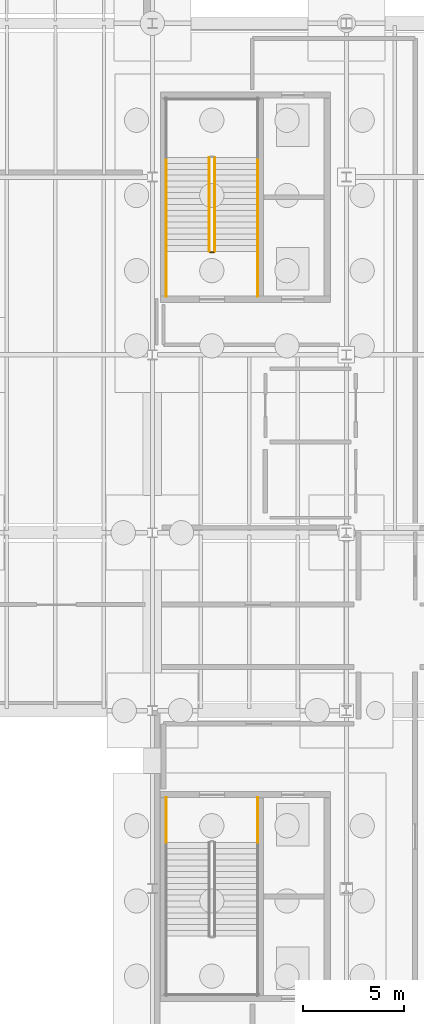
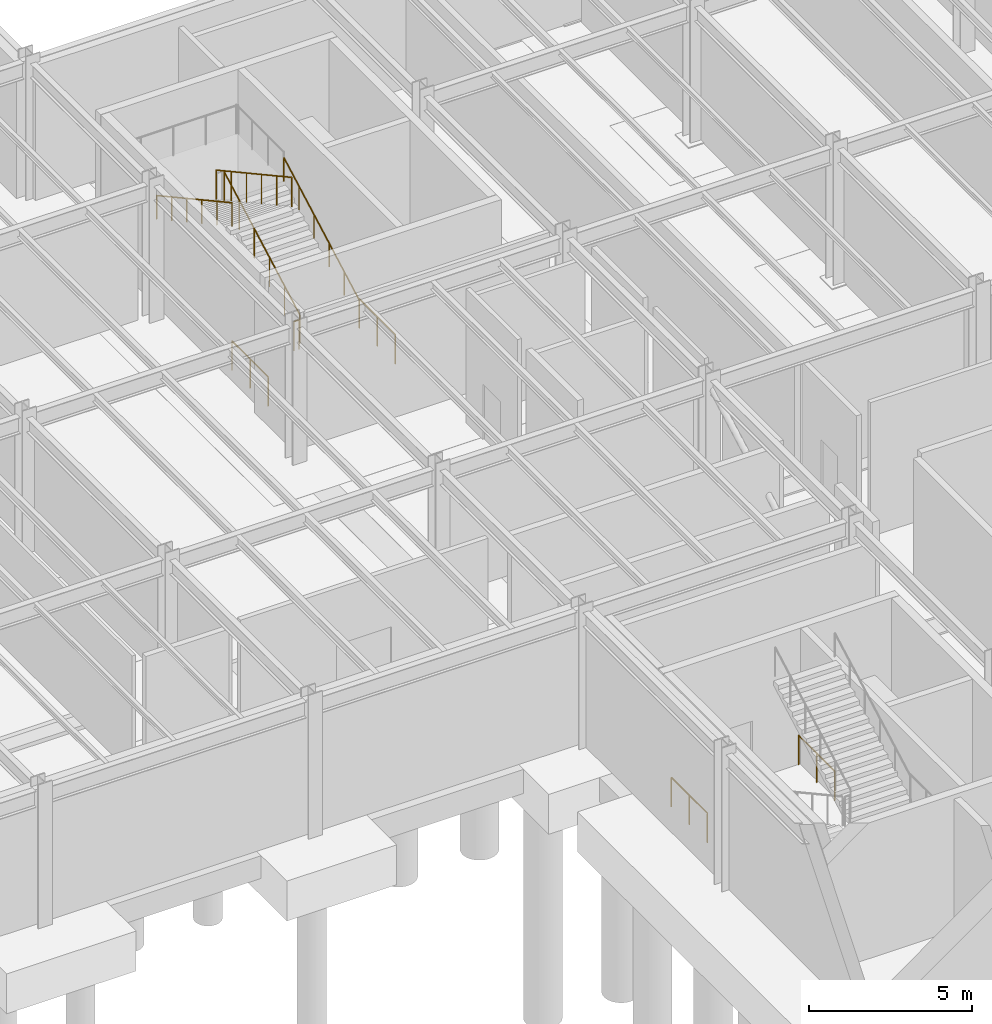
# One storey, part 44 of 48: 9 railings.
"""IFC4 building model written with IfcOpenShell, lengths in metres."""

from ifc_helpers import new_model, si_unit, direction, frame, origin, origin_2d, place, context, subcontext, project, spatial, circle, extrude, material, layer, layer_set, type_object, element, save


model = new_model("IFC4")

# Units and contexts
model_context = context("Model", 3, precision=1e-05, world=origin(), true_north=direction((0.0, 1.0)))
body_context = subcontext(model_context, "Body", "Model", "MODEL_VIEW")
ifc_project = project(units=[si_unit("LENGTHUNIT", "METRE"), si_unit("AREAUNIT", "SQUARE_METRE"), si_unit("VOLUMEUNIT", "CUBIC_METRE"), si_unit("PLANEANGLEUNIT", "RADIAN"), si_unit("MASSUNIT", "GRAM", prefix="KILO")], contexts=[model_context])

# Site, building, storey
site_placement = place(None, origin())
site = spatial("IfcSite", under=ifc_project, at=site_placement, CompositionType="ELEMENT")
building_placement = place(site_placement, origin())
building = spatial("IfcBuilding", under=site, at=building_placement, Name="Sarnbrook Museum", CompositionType="ELEMENT")
storey_placement = place(building_placement, frame((0.0, 0.0, -5.39990234375)))
storey = spatial("IfcBuildingStorey", under=building, at=storey_placement, Name="B1", CompositionType="ELEMENT", Elevation=-5.39990234375)

# Railings
ifc_material = material(Name="Brushed Stainless Steel Grade 316", Category="steel")
ifc_layer_1 = layer(ifc_material, 0.050048828125)
ifc_layer_set_1 = layer_set([ifc_layer_1], Name="Brushed Stainless Steel Grade 316")
railing_type_1 = type_object("IfcRailingType", Name="Guard_Int1120", PredefinedType="BALUSTRADE", material=ifc_layer_set_1)
for number, where, name in (
    (1, (81.489990234375, 70.10009765625, 0.0), "B1 ST3 stair guard 8"),
    (2, (86.010009765625, 70.10009765625, 0.0), "B1 ST3 stair guard 9"),
):
    element("IfcRailing", number, at=place(storey_placement, frame(where)), inside=storey, type_object=railing_type_1, Name=name, PredefinedType="BALUSTRADE", context=body_context, shape_type="SweptSolid", body=[
        extrude(circle(Radius=0.02392578125, at=origin_2d()), frame((0.0, 0.0, 1.09619140625), z_axis=(0.0, -1.0, 0.0), x_axis=(1.0, 0.0, 0.0)), (0.0, 0.0, 1.0), 2.22021484375),
        extrude(circle(Radius=0.02099609375, at=origin_2d()), origin(), (0.0, 0.0, 1.0), 1.072021484375),
        extrude(circle(Radius=0.02099609375, at=origin_2d()), frame((0.0, -1.110107421875, 0.0)), (0.0, 0.0, 1.0), 1.072021484375),
        extrude(circle(Radius=0.02099609375, at=origin_2d()), frame((0.0, -2.22021484375, 0.0)), (0.0, 0.0, 1.0), 1.072021484375),
    ])
railing_1_placement = place(storey_placement, frame((83.889892578125, 97.1201171875, 0.15869140625)))
element("IfcRailing", 3, at=railing_1_placement, inside=storey, type_object=railing_type_1, Name="B1 ST4 stair guard 1", PredefinedType="BALUSTRADE", context=body_context, shape_type="SweptSolid", body=[
    extrude(circle(Radius=0.02392578125, at=origin_2d()), frame((0.0, 0.0, 1.09619140625), z_axis=(0.0, 0.877067103421, 0.480367875796), x_axis=(-1.0, 0.0, 0.0)), (0.0, 0.0, 1.0), 5.290283203125),
    extrude(circle(Radius=0.02099609375, at=origin_2d()), origin(), (0.0, 0.0, 1.0), 1.072021484375),
    extrude(circle(Radius=0.02099609375, at=origin_2d()), frame((0.0, 0.927978515625, 0.50830078125)), (0.0, 0.0, 1.0), 1.072021484375),
    extrude(circle(Radius=0.02099609375, at=origin_2d()), frame((0.0, 1.85595703125, 1.0166015625)), (0.0, 0.0, 1.0), 1.072021484375),
    extrude(circle(Radius=0.02099609375, at=origin_2d()), frame((0.0, 2.783935546875, 1.524658203125)), (0.0, 0.0, 1.0), 1.072021484375),
    extrude(circle(Radius=0.02099609375, at=origin_2d()), frame((0.0, 3.7119140625, 2.032958984375)), (0.0, 0.0, 1.0), 1.072021484375),
    extrude(circle(Radius=0.02099609375, at=origin_2d()), frame((0.0, 4.639892578125, 2.541259765625)), (0.0, 0.0, 1.0), 1.072021484375),
])
railing_2_placement = place(storey_placement, frame((83.610107421875, 101.760009765625, 2.858642578125)))
element("IfcRailing", 4, at=railing_2_placement, inside=storey, type_object=railing_type_1, Name="B1 ST4 stair guard 6", PredefinedType="BALUSTRADE", context=body_context, shape_type="SweptSolid", body=[
    extrude(circle(Radius=0.02392578125, at=origin_2d()), frame((0.0, 0.0, 1.09619140625), z_axis=(0.0, -0.877067103421, 0.480367875796), x_axis=(1.0, 0.0, 0.0)), (0.0, 0.0, 1.0), 5.290283203125),
    extrude(circle(Radius=0.02099609375, at=origin_2d()), origin(), (0.0, 0.0, 1.0), 1.072021484375),
    extrude(circle(Radius=0.02099609375, at=origin_2d()), frame((0.0, -0.927978515625, 0.50830078125)), (0.0, 0.0, 1.0), 1.072021484375),
    extrude(circle(Radius=0.02099609375, at=origin_2d()), frame((0.0, -1.85595703125, 1.0166015625)), (0.0, 0.0, 1.0), 1.072021484375),
    extrude(circle(Radius=0.02099609375, at=origin_2d()), frame((0.0, -2.783935546875, 1.524658203125)), (0.0, 0.0, 1.0), 1.072021484375),
    extrude(circle(Radius=0.02099609375, at=origin_2d()), frame((0.0, -3.7119140625, 2.032958984375)), (0.0, 0.0, 1.0), 1.072021484375),
    extrude(circle(Radius=0.02099609375, at=origin_2d()), frame((0.0, -4.639892578125, 2.541259765625)), (0.0, 0.0, 1.0), 1.072021484375),
])
railing_3_placement = place(storey_placement, frame((83.840087890625, 97.070068359375, 0.0)))
element("IfcRailing", 5, at=railing_3_placement, inside=storey, type_object=railing_type_1, Name="B1 ST4 stair guard 7", PredefinedType="BALUSTRADE", context=body_context, shape_type="SweptSolid", body=[
    extrude(circle(Radius=0.02392578125, at=origin_2d()), frame((0.0, 0.0, 1.09619140625), z_axis=(-1.0, 0.0, 0.0), x_axis=(0.0, -1.0, 0.0)), (0.0, 0.0, 1.0), 0.18017578125),
    extrude(circle(Radius=0.02099609375, at=origin_2d()), origin(), (0.0, 0.0, 1.0), 1.072021484375),
    extrude(circle(Radius=0.02099609375, at=origin_2d()), frame((-0.18017578125, 0.0, 0.0)), (0.0, 0.0, 1.0), 1.072021484375),
])
for number, where, name in (
    (6, (86.010009765625, 94.89990234375, 0.0), "B1 ST4 stair guard 8"),
    (7, (81.489990234375, 94.89990234375, 0.0), "B1 ST4 stair guard 9"),
):
    element("IfcRailing", number, at=place(storey_placement, frame(where)), inside=storey, type_object=railing_type_1, Name=name, PredefinedType="BALUSTRADE", context=body_context, shape_type="SweptSolid", body=[
        extrude(circle(Radius=0.02392578125, at=origin_2d()), frame((0.0, 0.0, 1.09619140625), z_axis=(0.0, 1.0, 0.0), x_axis=(-1.0, 0.0, 0.0)), (0.0, 0.0, 1.0), 2.22021484375),
        extrude(circle(Radius=0.02099609375, at=origin_2d()), origin(), (0.0, 0.0, 1.0), 1.072021484375),
        extrude(circle(Radius=0.02099609375, at=origin_2d()), frame((0.0, 1.110107421875, 0.0)), (0.0, 0.0, 1.0), 1.072021484375),
        extrude(circle(Radius=0.02099609375, at=origin_2d()), frame((0.0, 2.22021484375, 0.0)), (0.0, 0.0, 1.0), 1.072021484375),
    ])
ifc_layer_2 = layer(ifc_material, 0.048095703125)
ifc_layer_set_2 = layer_set([ifc_layer_2], Name="Brushed Stainless Steel Grade 316")
railing_type_2 = type_object("IfcRailingType", Name="Handrail_920", PredefinedType="HANDRAIL", material=ifc_layer_set_2)
railing_4_placement = place(storey_placement, frame((86.010009765625, 97.1201171875, 0.15869140625)))
element("IfcRailing", 8, at=railing_4_placement, inside=storey, type_object=railing_type_2, Name="B1 ST4 stair handrail 1", PredefinedType="HANDRAIL", context=body_context, shape_type="SweptSolid", body=[
    extrude(circle(Radius=0.02392578125, at=origin_2d()), frame((0.0, 0.0, 0.8857421875), z_axis=(0.0, 0.877067103421, 0.480367875796), x_axis=(-1.0, 0.0, 0.0)), (0.0, 0.0, 1.0), 5.290283203125),
    extrude(circle(Radius=0.02099609375, at=origin_2d()), origin(), (0.0, 0.0, 1.0), 0.86181640625),
    extrude(circle(Radius=0.02099609375, at=origin_2d()), frame((0.0, 0.927978515625, 0.50830078125)), (0.0, 0.0, 1.0), 0.86181640625),
    extrude(circle(Radius=0.02099609375, at=origin_2d()), frame((0.0, 1.85595703125, 1.0166015625)), (0.0, 0.0, 1.0), 0.86181640625),
    extrude(circle(Radius=0.02099609375, at=origin_2d()), frame((0.0, 2.783935546875, 1.524658203125)), (0.0, 0.0, 1.0), 0.86181640625),
    extrude(circle(Radius=0.02099609375, at=origin_2d()), frame((0.0, 3.7119140625, 2.032958984375)), (0.0, 0.0, 1.0), 0.86181640625),
    extrude(circle(Radius=0.02099609375, at=origin_2d()), frame((0.0, 4.639892578125, 2.541259765625)), (0.0, 0.0, 1.0), 0.86181640625),
])
railing_5_placement = place(storey_placement, frame((81.489990234375, 101.760009765625, 2.858642578125)))
element("IfcRailing", 9, at=railing_5_placement, inside=storey, type_object=railing_type_2, Name="B1 ST4 stair handrail 2", PredefinedType="HANDRAIL", context=body_context, shape_type="SweptSolid", body=[
    extrude(circle(Radius=0.02392578125, at=origin_2d()), frame((0.0, 0.0, 0.8857421875), z_axis=(0.0, -0.877067103421, 0.480367875796), x_axis=(1.0, 0.0, 0.0)), (0.0, 0.0, 1.0), 5.290283203125),
    extrude(circle(Radius=0.02099609375, at=origin_2d()), origin(), (0.0, 0.0, 1.0), 0.86181640625),
    extrude(circle(Radius=0.02099609375, at=origin_2d()), frame((0.0, -0.927978515625, 0.50830078125)), (0.0, 0.0, 1.0), 0.86181640625),
    extrude(circle(Radius=0.02099609375, at=origin_2d()), frame((0.0, -1.85595703125, 1.0166015625)), (0.0, 0.0, 1.0), 0.86181640625),
    extrude(circle(Radius=0.02099609375, at=origin_2d()), frame((0.0, -2.783935546875, 1.524658203125)), (0.0, 0.0, 1.0), 0.86181640625),
    extrude(circle(Radius=0.02099609375, at=origin_2d()), frame((0.0, -3.7119140625, 2.032958984375)), (0.0, 0.0, 1.0), 0.86181640625),
    extrude(circle(Radius=0.02099609375, at=origin_2d()), frame((0.0, -4.639892578125, 2.541259765625)), (0.0, 0.0, 1.0), 0.86181640625),
])

save(model, "model.ifc")
